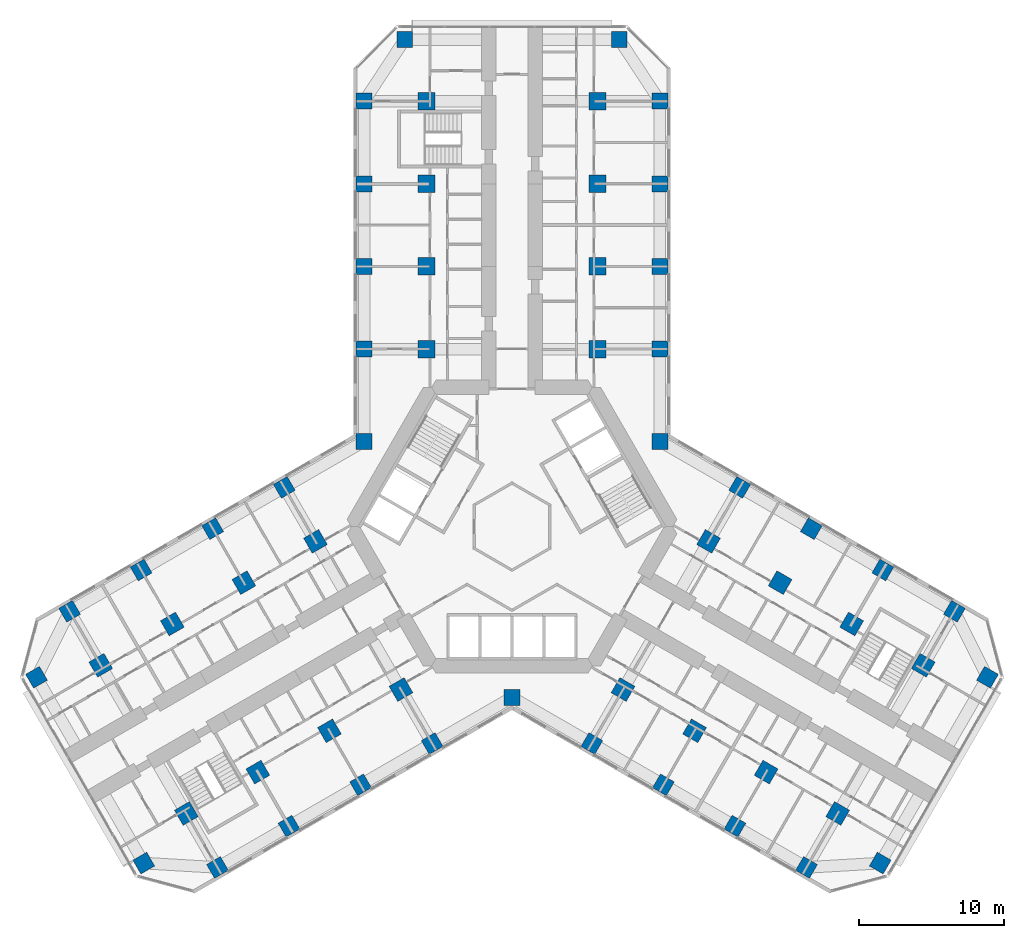
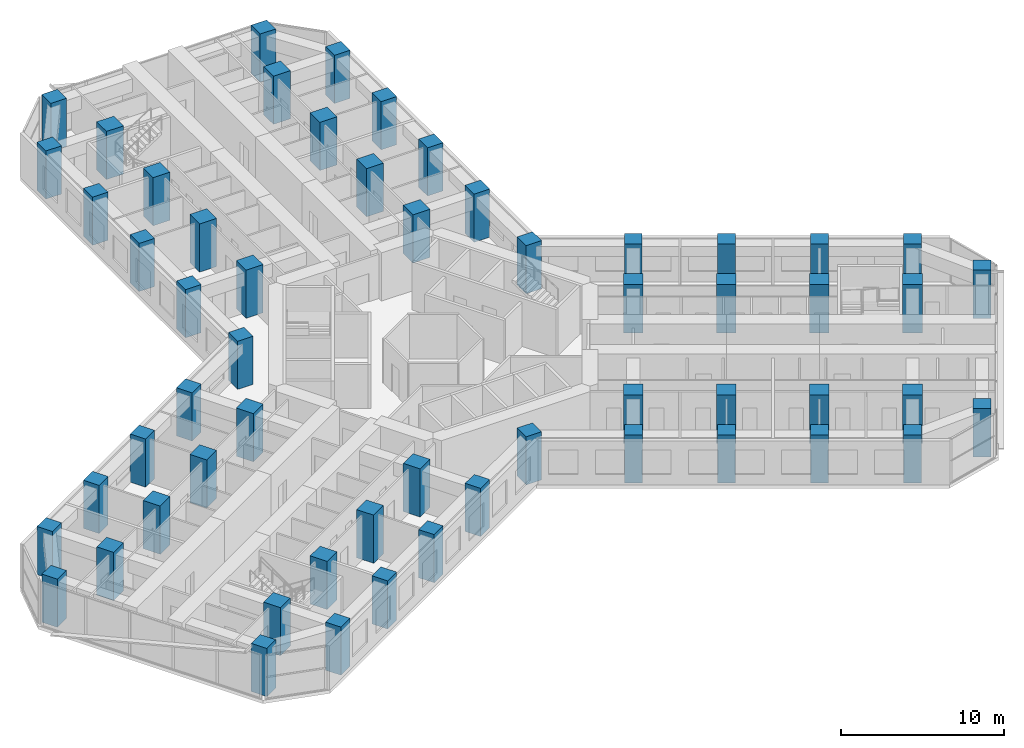
# One storey, part 1 of 21: 57 columns.
"""IFC4 building model written with IfcOpenShell, lengths in metres."""

from ifc_helpers import new_model, si_unit, direction, frame, origin, origin_2d, place, context, subcontext, project, spatial, rectangle, extrude, material, material_profile, profile_set, type_object, element, save


model = new_model("IFC4")

# Units and contexts
model_context = context("Model", 3, precision=1e-05, world=origin(), true_north=direction((0.0, 1.0)))
body_context = subcontext(model_context, "Body", "Model", "MODEL_VIEW")
ifc_project = project(units=[si_unit("LENGTHUNIT", "METRE"), si_unit("AREAUNIT", "SQUARE_METRE"), si_unit("VOLUMEUNIT", "CUBIC_METRE"), si_unit("PLANEANGLEUNIT", "RADIAN"), si_unit("MASSUNIT", "GRAM", prefix="KILO")], contexts=[model_context])

# Site, building, storey
site_placement = place(None, origin())
site = spatial("IfcSite", under=ifc_project, at=site_placement, CompositionType="ELEMENT")
building_placement = place(site_placement, origin())
building = spatial("IfcBuilding", under=site, at=building_placement, Name="Kosmar Iwan School Tower", CompositionType="ELEMENT")
storey_placement = place(building_placement, frame((0.0, 0.0, 28.800048828125)))
storey = spatial("IfcBuildingStorey", under=building, at=storey_placement, Name="L06", CompositionType="ELEMENT", Elevation=28.800048828125)

# Columns
ifc_material_1 = material(Name="Concrete C50/60", Category="concrete")
ifc_material_profile_1 = material_profile(ifc_material_1, rectangle(XDim=1.10009765625, YDim=1.10009765625, at=origin_2d()), Name="RC 1100x1100 + HD 400x744")
ifc_profile_set_1 = profile_set([ifc_material_profile_1], Name="Concrete C50/60")
column_type_1 = type_object("IfcColumnType", Name="Composite column 1100x1100 HD 400x744", PredefinedType="COLUMN", material=ifc_profile_set_1)
for number, where, z_axis, x_axis, name in (
    (1, (-10.199951171875, 12.25, 0.0), (0.0, 0.0, 1.0), (0.0, 1.0, 0.0), "Column AL1 L06"),
    (2, (-10.199951171875, 17.949951171875, 0.0), (0.0, 0.0, 1.0), (0.0, 1.0, 0.0), "Column AL2 L06"),
    (3, (-10.199951171875, 23.64990234375, 0.0), (0.0, 0.0, 1.0), (0.0, 1.0, 0.0), "Column AL3 L06"),
    (4, (-10.199951171875, 29.35009765625, 0.0), (0.0, 0.0, 1.0), (0.0, 1.0, 0.0), "Column AL4 L06"),
    (5, (-7.39990234375, 33.60009765625, 0.0), (0.0, 0.0, 1.0), (0.0, 1.0, 0.0), "Column ALTIP L06"),
    (6, (10.199951171875, 12.25, 0.0), (0.0, 0.0, 1.0), (0.0, 1.0, 0.0), "Column AR1 L06"),
    (7, (10.199951171875, 17.949951171875, 0.0), (0.0, 0.0, 1.0), (0.0, 1.0, 0.0), "Column AR2 L06"),
    (8, (10.199951171875, 23.64990234375, 0.0), (0.0, 0.0, 1.0), (0.0, 1.0, 0.0), "Column AR3 L06"),
    (9, (10.199951171875, 29.35009765625, 0.0), (0.0, 0.0, 1.0), (0.0, 1.0, 0.0), "Column AR4 L06"),
    (10, (7.39990234375, 33.60009765625, 0.0), (0.0, 0.0, 1.0), (0.0, 1.0, 0.0), "Column ARTIP L06"),
    (11, (-5.5087890625, -14.95849609375, 0.0), (0.0, 0.0, 1.0), (-0.866025403784, -0.5, 0.0), "Column BL1 L06"),
    (12, (-10.445068359375, -17.808349609375, 0.0), (0.0, 0.0, 1.0), (-0.866025403784, -0.5, 0.0), "Column BL2 L06"),
    (13, (-15.381591796875, -20.658447265625, 0.0), (0.0, 0.0, 1.0), (-0.866025403784, -0.5, 0.0), "Column BL3 L06"),
    (14, (-20.31787109375, -23.508544921875, 0.0), (0.0, 0.0, 1.0), (-0.866025403784, -0.5, 0.0), "Column BL4 L06"),
    (15, (-25.3984375, -23.20849609375, 0.0), (0.0, 0.0, 1.0), (-0.866025403784, -0.5, 0.0), "Column BLTIP L06"),
    (16, (-15.708740234375, 2.70849609375, 0.0), (0.0, 0.0, 1.0), (-0.866025403784, -0.5, 0.0), "Column BR1 L06"),
    (17, (-20.645263671875, -0.1416015625, 0.0), (0.0, 0.0, 1.0), (-0.866025403784, -0.5, 0.0), "Column BR2 L06"),
    (18, (-25.58154296875, -2.991455078125, 0.0), (0.0, 0.0, 1.0), (-0.866025403784, -0.5, 0.0), "Column BR3 L06"),
    (19, (-30.517822265625, -5.841552734375, 0.0), (0.0, 0.0, 1.0), (-0.866025403784, -0.5, 0.0), "Column BR4 L06"),
    (20, (-32.79833984375, -10.391357421875, 0.0), (0.0, 0.0, 1.0), (-0.866025403784, -0.5, 0.0), "Column BRTIP L06"),
    (21, (15.708740234375, 2.70849609375, 0.0), (0.0, 0.0, 1.0), (0.866025403784, -0.5, 0.0), "Column CL1 L06"),
    (22, (20.645263671875, -0.1416015625, 0.0), (0.0, 0.0, 1.0), (0.866025403784, -0.5, 0.0), "Column CL2 L06"),
    (23, (25.58154296875, -2.991455078125, 0.0), (0.0, 0.0, 1.0), (0.866025403784, -0.5, 0.0), "Column CL3 L06"),
    (24, (30.517822265625, -5.841552734375, 0.0), (0.0, 0.0, 1.0), (0.866025403784, -0.5, 0.0), "Column CL4 L06"),
    (25, (32.79833984375, -10.391357421875, 0.0), (0.0, 0.0, 1.0), (0.866025403784, -0.5, 0.0), "Column CLTIP L06"),
    (26, (5.5087890625, -14.95849609375, 0.0), (0.0, 0.0, 1.0), (0.866025403784, -0.5, 0.0), "Column CR1 L06"),
    (27, (10.445068359375, -17.808349609375, 0.0), (0.0, 0.0, 1.0), (0.866025403784, -0.5, 0.0), "Column CR2 L06"),
    (28, (15.381591796875, -20.658447265625, 0.0), (0.0, 0.0, 1.0), (0.866025403784, -0.5, 0.0), "Column CR3 L06"),
    (29, (20.31787109375, -23.508544921875, 0.0), (0.0, 0.0, 1.0), (0.866025403784, -0.5, 0.0), "Column CR4 L06"),
    (30, (25.3984375, -23.20849609375, 0.0), (0.0, 0.0, 1.0), (0.866025403784, -0.5, 0.0), "Column CRTIP L06"),
    (31, (-10.199951171875, 5.888916015625, 0.0), (0.0, 0.0, 1.0), (1.0, 0.0, 0.0), "Column RAB L06"),
    (32, (10.199951171875, 5.888916015625, 0.0), (0.0, 0.0, 1.0), (1.0, 0.0, 0.0), "Column RAC L06"),
    (33, (0.0, -11.77783203125, 0.0), (0.0, 0.0, 1.0), (1.0, 0.0, 0.0), "Column RBC L06"),
):
    element("IfcColumn", number, at=place(storey_placement, frame(where, z_axis=z_axis, x_axis=x_axis)), inside=storey, type_object=column_type_1, Name=name, PredefinedType="COLUMN", context=body_context, shape_type="SweptSolid", body=[
        extrude(rectangle(XDim=1.10009765625, YDim=1.10009765625, at=origin_2d()), origin(), (0.0, 0.0, 1.0), 3.599853515625),
    ])
ifc_material_2 = material(Name="Concrete C50/60", Category="concrete")
ifc_material_profile_2 = material_profile(ifc_material_2, rectangle(XDim=1.199951171875, YDim=1.199951171875, at=origin_2d()), Name="RC 1200x1200")
ifc_profile_set_2 = profile_set([ifc_material_profile_2], Name="Concrete C50/60")
column_type_2 = type_object("IfcColumnType", Name="RC interior column 1200x1200", PredefinedType="COLUMN", material=ifc_profile_set_2)
for number, where, z_axis, x_axis, name in (
    (34, (-5.89990234375, 12.25, 0.0), (0.0, 0.0, 1.0), (0.0, 1.0, 0.0), "Interior column ALI1 L06"),
    (35, (-5.89990234375, 17.949951171875, 0.0), (0.0, 0.0, 1.0), (0.0, 1.0, 0.0), "Interior column ALI2 L06"),
    (36, (-5.89990234375, 23.64990234375, 0.0), (0.0, 0.0, 1.0), (0.0, 1.0, 0.0), "Interior column ALI3 L06"),
    (37, (-5.89990234375, 29.35009765625, 0.0), (0.0, 0.0, 1.0), (0.0, 1.0, 0.0), "Interior column ALI4 L06"),
    (38, (5.89990234375, 12.25, 0.0), (0.0, 0.0, 1.0), (0.0, 1.0, 0.0), "Interior column ARI1 L06"),
    (39, (5.89990234375, 17.949951171875, 0.0), (0.0, 0.0, 1.0), (0.0, 1.0, 0.0), "Interior column ARI2 L06"),
    (40, (5.89990234375, 23.64990234375, 0.0), (0.0, 0.0, 1.0), (0.0, 1.0, 0.0), "Interior column ARI3 L06"),
    (41, (5.89990234375, 29.35009765625, 0.0), (0.0, 0.0, 1.0), (0.0, 1.0, 0.0), "Interior column ARI4 L06"),
    (42, (-7.65869140625, -11.234619140625, 0.0), (0.0, 0.0, 1.0), (-0.866025403784, -0.5, 0.0), "Interior column BLI1 L06"),
    (43, (-12.59521484375, -14.08447265625, 0.0), (0.0, 0.0, 1.0), (-0.866025403784, -0.5, 0.0), "Interior column BLI2 L06"),
    (44, (-17.531494140625, -16.9345703125, 0.0), (0.0, 0.0, 1.0), (-0.866025403784, -0.5, 0.0), "Interior column BLI3 L06"),
    (45, (-22.4677734375, -19.78466796875, 0.0), (0.0, 0.0, 1.0), (-0.866025403784, -0.5, 0.0), "Interior column BLI4 L06"),
    (46, (-13.558837890625, -1.015380859375, 0.0), (0.0, 0.0, 1.0), (-0.866025403784, -0.5, 0.0), "Interior column BRI1 L06"),
    (47, (-18.4951171875, -3.865478515625, 0.0), (0.0, 0.0, 1.0), (-0.866025403784, -0.5, 0.0), "Interior column BRI2 L06"),
    (48, (-23.431396484375, -6.71533203125, 0.0), (0.0, 0.0, 1.0), (-0.866025403784, -0.5, 0.0), "Interior column BRI3 L06"),
    (49, (-28.367919921875, -9.5654296875, 0.0), (0.0, 0.0, 1.0), (-0.866025403784, -0.5, 0.0), "Interior column BRI4 L06"),
    (50, (13.558837890625, -1.015380859375, 0.0), (0.0, 0.0, 1.0), (0.866025403784, -0.5, 0.0), "Interior column CLI1 L06"),
    (51, (18.4951171875, -3.865478515625, 0.0), (0.0, 0.0, 1.0), (0.866025403784, -0.5, 0.0), "Interior column CLI2 L06"),
    (52, (23.431396484375, -6.71533203125, 0.0), (0.0, 0.0, 1.0), (0.866025403784, -0.5, 0.0), "Interior column CLI3 L06"),
    (53, (28.367919921875, -9.5654296875, 0.0), (0.0, 0.0, 1.0), (0.866025403784, -0.5, 0.0), "Interior column CLI4 L06"),
    (54, (7.65869140625, -11.234619140625, 0.0), (0.0, 0.0, 1.0), (0.866025403784, -0.5, 0.0), "Interior column CRI1 L06"),
    (55, (12.59521484375, -14.08447265625, 0.0), (0.0, 0.0, 1.0), (0.866025403784, -0.5, 0.0), "Interior column CRI2 L06"),
    (56, (17.531494140625, -16.9345703125, 0.0), (0.0, 0.0, 1.0), (0.866025403784, -0.5, 0.0), "Interior column CRI3 L06"),
    (57, (22.4677734375, -19.78466796875, 0.0), (0.0, 0.0, 1.0), (0.866025403784, -0.5, 0.0), "Interior column CRI4 L06"),
):
    element("IfcColumn", number, at=place(storey_placement, frame(where, z_axis=z_axis, x_axis=x_axis)), inside=storey, type_object=column_type_2, Name=name, PredefinedType="COLUMN", context=body_context, shape_type="SweptSolid", body=[
        extrude(rectangle(XDim=1.199951171875, YDim=1.199951171875, at=origin_2d()), origin(), (0.0, 0.0, 1.0), 3.599853515625),
    ])

save(model, "model.ifc")
